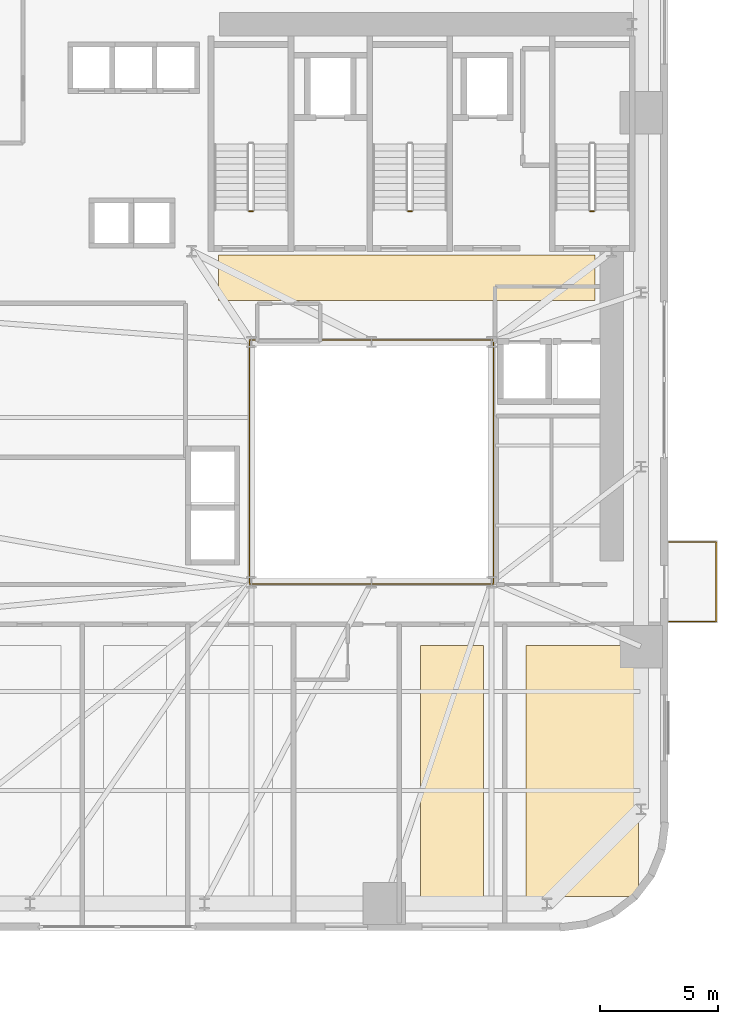
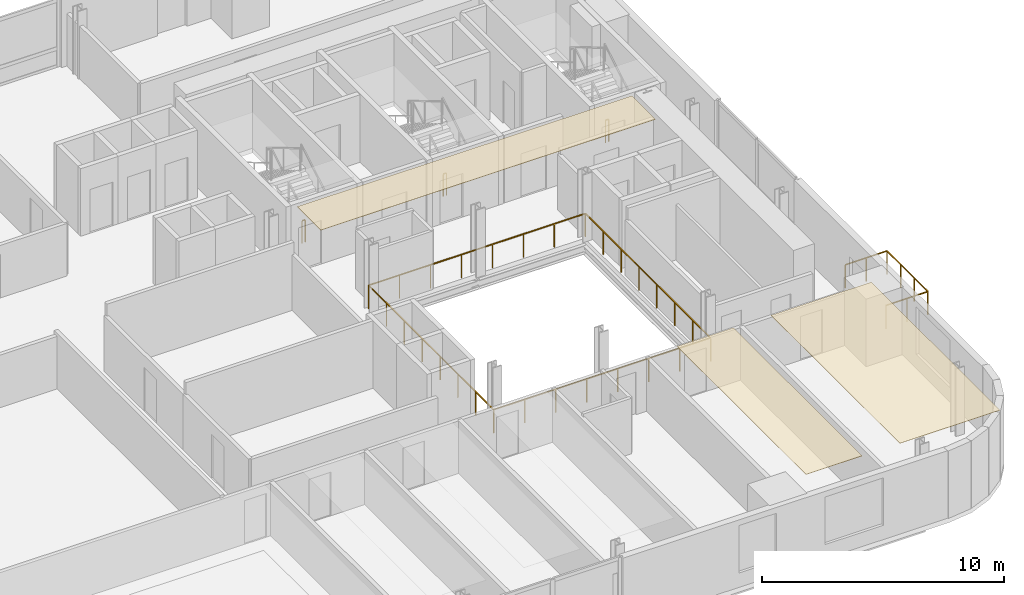
# One storey, part 11 of 13: 5 railings, 3 coverings.
"""IFC4 building model written with IfcOpenShell, lengths in metres."""

from ifc_helpers import new_model, si_unit, direction, frame, origin, origin_2d, place, context, subcontext, project, spatial, polyline, rectangle, outline, extrude, source, transform, mapped, material, layer, layer_set, type_object, element, save


model = new_model("IFC4")

# Units and contexts
model_context = context("Model", 3, precision=1e-05, world=origin(), true_north=direction((0.0, 1.0)))
body_context = subcontext(model_context, "Body", "Model", "MODEL_VIEW")
ifc_project = project(units=[si_unit("LENGTHUNIT", "METRE"), si_unit("AREAUNIT", "SQUARE_METRE"), si_unit("VOLUMEUNIT", "CUBIC_METRE"), si_unit("PLANEANGLEUNIT", "RADIAN"), si_unit("MASSUNIT", "GRAM", prefix="KILO")], contexts=[model_context])

# Site, building, storey
site_placement = place(None, origin())
site = spatial("IfcSite", under=ifc_project, at=site_placement, CompositionType="ELEMENT")
building_placement = place(site_placement, origin())
building = spatial("IfcBuilding", under=site, at=building_placement, Name="Vardaveli Station Tower", CompositionType="ELEMENT")
storey_placement = place(building_placement, frame((0.0, 0.0, 86.0)))
storey = spatial("IfcBuildingStorey", under=building, at=storey_placement, Name="L22", CompositionType="ELEMENT", Elevation=86.0)

# Coverings
ifc_material_1 = material(Name="Perforated acoustic mineral ceiling")
ifc_layer = layer(ifc_material_1, 0.02001953125, Name="Perforated acoustic mineral ceiling")
ifc_layer_set = layer_set([ifc_layer], Name="Perforated acoustic mineral ceiling")
covering_type = type_object("IfcCoveringType", Name="COV-CEIL-AC20", PredefinedType="CEILING", material=ifc_layer_set)
covering_1_placement = place(storey_placement, frame((0.0, 0.0, 3.39501953125)))
element("IfcCovering", 1, at=covering_1_placement, inside=storey, type_object=covering_type, Name="CEIL-L22-5", PredefinedType="CEILING", context=body_context, shape_type="SweptSolid", body=[
    extrude(outline(polyline([(38.37548828125, 3.25), (41.064208984375, 3.25), (41.064208984375, 13.909912109375), (38.37548828125, 13.909912109375), (38.37548828125, 3.25)])), origin(), (0.0, 0.0, 1.0), 0.02001953125),
])
covering_2_placement = place(storey_placement, frame((0.0, 0.0, 3.39501953125)))
element("IfcCovering", 2, at=covering_2_placement, inside=storey, type_object=covering_type, Name="CEIL-L22-6", PredefinedType="CEILING", context=body_context, shape_type="SweptSolid", body=[
    extrude(outline(polyline([(42.8642578125, 3.25), (47.64990234375, 3.25), (47.64990234375, 13.909912109375), (42.8642578125, 13.909912109375), (42.8642578125, 3.25)])), origin(), (0.0, 0.0, 1.0), 0.02001953125),
])
covering_3_placement = place(storey_placement, frame((0.0, 0.0, 3.39501953125)))
element("IfcCovering", 3, at=covering_3_placement, inside=storey, type_object=covering_type, Name="CEIL-L22-7", PredefinedType="CEILING", context=body_context, shape_type="SweptSolid", body=[
    extrude(outline(polyline([(29.800048828125, 28.550048828125), (45.800048828125, 28.550048828125), (45.800048828125, 30.5), (29.800048828125, 30.5), (29.800048828125, 28.550048828125)])), origin(), (0.0, 0.0, 1.0), 0.02001953125),
])

# Railings
ifc_material_2 = material(Name="Laminated glass and stainless steel balustrade", Category="steel")
railing_type_1 = type_object("IfcRailingType", Name="RL-BAL-1200", PredefinedType="BALUSTRADE", material=ifc_material_2)
shared_shape_1 = source(origin(), body_context, "Body", "SweptSolid", [
    extrude(rectangle(XDim=0.048095703125, YDim=0.048095703125, at=origin_2d()), frame((0.0, 0.0, 1.17578125), z_axis=(1.0, 0.0, 0.0), x_axis=(0.0, 1.0, 0.0)), (0.0, 0.0, 1.0), 2.0),
    extrude(rectangle(XDim=0.048095703125, YDim=0.048095703125, at=origin_2d()), frame((2.0, 0.0, 1.17578125), z_axis=(0.0, 1.0, 0.0), x_axis=(-1.0, 0.0, 0.0)), (0.0, 0.0, 1.0), 3.3798828125),
    extrude(rectangle(XDim=0.048095703125, YDim=0.048095703125, at=origin_2d()), frame((2.0, 3.3798828125, 1.17578125), z_axis=(-1.0, 0.0, 0.0), x_axis=(0.0, -1.0, 0.0)), (0.0, 0.0, 1.0), 2.0),
    extrude(rectangle(XDim=0.0419921875, YDim=0.0419921875, at=origin_2d()), origin(), (0.0, 0.0, 1.0), 1.15185546875),
    extrude(rectangle(XDim=0.0419921875, YDim=0.0419921875, at=origin_2d()), frame((1.0, 0.0, 0.0)), (0.0, 0.0, 1.0), 1.15185546875),
    extrude(rectangle(XDim=0.0419921875, YDim=0.0419921875, at=origin_2d()), frame((2.0, 0.0, 0.0)), (0.0, 0.0, 1.0), 1.15185546875),
    extrude(rectangle(XDim=0.0419921875, YDim=0.0419921875, at=origin_2d()), frame((2.0, 1.126708984375, 0.0)), (0.0, 0.0, 1.0), 1.15185546875),
    extrude(rectangle(XDim=0.0419921875, YDim=0.0419921875, at=origin_2d()), frame((2.0, 2.253173828125, 0.0)), (0.0, 0.0, 1.0), 1.15185546875),
    extrude(rectangle(XDim=0.0419921875, YDim=0.0419921875, at=origin_2d()), frame((2.0, 3.3798828125, 0.0)), (0.0, 0.0, 1.0), 1.15185546875),
    extrude(rectangle(XDim=0.0419921875, YDim=0.0419921875, at=origin_2d()), frame((1.0, 3.3798828125, 0.0)), (0.0, 0.0, 1.0), 1.15185546875),
    extrude(rectangle(XDim=0.0419921875, YDim=0.0419921875, at=origin_2d()), frame((0.0, 3.3798828125, 0.0)), (0.0, 0.0, 1.0), 1.15185546875),
])
railing_1_placement = place(storey_placement, frame((48.93994140625, 14.92041015625, 0.0)))
element("IfcRailing", 4, at=railing_1_placement, inside=storey, type_object=railing_type_1, Name="RL-LOG-L22-04", PredefinedType="BALUSTRADE", context=body_context, shape_type="MappedRepresentation", body=[
    mapped(shared_shape_1, transform((0.0, 0.0, 0.0), scale=1.0)),
])
ifc_material_3 = material(Name="Brushed AISI 316 stainless steel", Category="steel")
railing_type_2 = type_object("IfcRailingType", Name="RL-GUARD-1150", PredefinedType="GUARDRAIL", material=ifc_material_3)
shared_shape_2 = source(origin(), body_context, "Body", "SweptSolid", [
    extrude(rectangle(XDim=0.048095703125, YDim=0.048095703125, at=origin_2d()), frame((0.0, 0.0, 1.1259765625), z_axis=(-1.0, 0.0, 0.0), x_axis=(0.0, -1.0, 0.0)), (0.0, 0.0, 1.0), 0.14990234375),
    extrude(rectangle(XDim=0.0419921875, YDim=0.0419921875, at=origin_2d()), origin(), (0.0, 0.0, 1.0), 1.101806640625),
    extrude(rectangle(XDim=0.0419921875, YDim=0.0419921875, at=origin_2d()), frame((-0.14990234375, 0.0, 0.0)), (0.0, 0.0, 1.0), 1.101806640625),
])
for number, where, name in (
    (5, (31.25, 32.35009765625, 0.0), "L22 ST-1 stair guard 4"),
    (6, (38.0, 32.35009765625, 0.0), "L22 ST-2 stair guard 4"),
    (7, (45.75, 32.35009765625, 0.0), "L22 ST-3 stair guard 4"),
):
    element("IfcRailing", number, at=place(storey_placement, frame(where)), inside=storey, type_object=railing_type_2, Name=name, PredefinedType="GUARDRAIL", context=body_context, shape_type="MappedRepresentation", body=[
        mapped(shared_shape_2, transform((0.0, 0.0, 0.0), scale=1.0)),
    ])
shared_shape_3 = source(origin(), body_context, "Body", "SweptSolid", [
    extrude(rectangle(XDim=0.048095703125, YDim=0.048095703125, at=origin_2d()), frame((0.0, 0.0, 1.17578125), z_axis=(1.0, 0.0, 0.0), x_axis=(0.0, 1.0, 0.0)), (0.0, 0.0, 1.0), 10.35986328125),
    extrude(rectangle(XDim=0.048095703125, YDim=0.048095703125, at=origin_2d()), frame((10.35986328125, 0.0, 1.17578125), z_axis=(0.0, 1.0, 0.0), x_axis=(-1.0, 0.0, 0.0)), (0.0, 0.0, 1.0), 10.35986328125),
    extrude(rectangle(XDim=0.048095703125, YDim=0.048095703125, at=origin_2d()), frame((10.35986328125, 10.35986328125, 1.17578125), z_axis=(-1.0, 0.0, 0.0), x_axis=(0.0, -1.0, 0.0)), (0.0, 0.0, 1.0), 10.35986328125),
    extrude(rectangle(XDim=0.048095703125, YDim=0.048095703125, at=origin_2d()), frame((0.0, 10.35986328125, 1.17578125), z_axis=(0.0, -1.0, 0.0), x_axis=(1.0, 0.0, 0.0)), (0.0, 0.0, 1.0), 10.35986328125),
    extrude(rectangle(XDim=0.0419921875, YDim=0.0419921875, at=origin_2d()), origin(), (0.0, 0.0, 1.0), 1.15185546875),
    extrude(rectangle(XDim=0.0419921875, YDim=0.0419921875, at=origin_2d()), frame((1.47998046875, 0.0, 0.0)), (0.0, 0.0, 1.0), 1.15185546875),
    extrude(rectangle(XDim=0.0419921875, YDim=0.0419921875, at=origin_2d()), frame((2.9599609375, 0.0, 0.0)), (0.0, 0.0, 1.0), 1.15185546875),
    extrude(rectangle(XDim=0.0419921875, YDim=0.0419921875, at=origin_2d()), frame((4.43994140625, 0.0, 0.0)), (0.0, 0.0, 1.0), 1.15185546875),
    extrude(rectangle(XDim=0.0419921875, YDim=0.0419921875, at=origin_2d()), frame((5.919921875, 0.0, 0.0)), (0.0, 0.0, 1.0), 1.15185546875),
    extrude(rectangle(XDim=0.0419921875, YDim=0.0419921875, at=origin_2d()), frame((7.39990234375, 0.0, 0.0)), (0.0, 0.0, 1.0), 1.15185546875),
    extrude(rectangle(XDim=0.0419921875, YDim=0.0419921875, at=origin_2d()), frame((8.8798828125, 0.0, 0.0)), (0.0, 0.0, 1.0), 1.15185546875),
    extrude(rectangle(XDim=0.0419921875, YDim=0.0419921875, at=origin_2d()), frame((10.35986328125, 0.0, 0.0)), (0.0, 0.0, 1.0), 1.15185546875),
    extrude(rectangle(XDim=0.0419921875, YDim=0.0419921875, at=origin_2d()), frame((10.35986328125, 1.47998046875, 0.0)), (0.0, 0.0, 1.0), 1.15185546875),
    extrude(rectangle(XDim=0.0419921875, YDim=0.0419921875, at=origin_2d()), frame((10.35986328125, 2.9599609375, 0.0)), (0.0, 0.0, 1.0), 1.15185546875),
    extrude(rectangle(XDim=0.0419921875, YDim=0.0419921875, at=origin_2d()), frame((10.35986328125, 4.43994140625, 0.0)), (0.0, 0.0, 1.0), 1.15185546875),
    extrude(rectangle(XDim=0.0419921875, YDim=0.0419921875, at=origin_2d()), frame((10.35986328125, 5.919921875, 0.0)), (0.0, 0.0, 1.0), 1.15185546875),
    extrude(rectangle(XDim=0.0419921875, YDim=0.0419921875, at=origin_2d()), frame((10.35986328125, 7.39990234375, 0.0)), (0.0, 0.0, 1.0), 1.15185546875),
    extrude(rectangle(XDim=0.0419921875, YDim=0.0419921875, at=origin_2d()), frame((10.35986328125, 8.8798828125, 0.0)), (0.0, 0.0, 1.0), 1.15185546875),
    extrude(rectangle(XDim=0.0419921875, YDim=0.0419921875, at=origin_2d()), frame((10.35986328125, 10.35986328125, 0.0)), (0.0, 0.0, 1.0), 1.15185546875),
    extrude(rectangle(XDim=0.0419921875, YDim=0.0419921875, at=origin_2d()), frame((8.8798828125, 10.35986328125, 0.0)), (0.0, 0.0, 1.0), 1.15185546875),
    extrude(rectangle(XDim=0.0419921875, YDim=0.0419921875, at=origin_2d()), frame((7.39990234375, 10.35986328125, 0.0)), (0.0, 0.0, 1.0), 1.15185546875),
    extrude(rectangle(XDim=0.0419921875, YDim=0.0419921875, at=origin_2d()), frame((5.919921875, 10.35986328125, 0.0)), (0.0, 0.0, 1.0), 1.15185546875),
    extrude(rectangle(XDim=0.0419921875, YDim=0.0419921875, at=origin_2d()), frame((4.43994140625, 10.35986328125, 0.0)), (0.0, 0.0, 1.0), 1.15185546875),
    extrude(rectangle(XDim=0.0419921875, YDim=0.0419921875, at=origin_2d()), frame((2.9599609375, 10.35986328125, 0.0)), (0.0, 0.0, 1.0), 1.15185546875),
    extrude(rectangle(XDim=0.0419921875, YDim=0.0419921875, at=origin_2d()), frame((1.47998046875, 10.35986328125, 0.0)), (0.0, 0.0, 1.0), 1.15185546875),
    extrude(rectangle(XDim=0.0419921875, YDim=0.0419921875, at=origin_2d()), frame((0.0, 10.35986328125, 0.0)), (0.0, 0.0, 1.0), 1.15185546875),
    extrude(rectangle(XDim=0.0419921875, YDim=0.0419921875, at=origin_2d()), frame((0.0, 8.8798828125, 0.0)), (0.0, 0.0, 1.0), 1.15185546875),
    extrude(rectangle(XDim=0.0419921875, YDim=0.0419921875, at=origin_2d()), frame((0.0, 7.39990234375, 0.0)), (0.0, 0.0, 1.0), 1.15185546875),
    extrude(rectangle(XDim=0.0419921875, YDim=0.0419921875, at=origin_2d()), frame((0.0, 5.919921875, 0.0)), (0.0, 0.0, 1.0), 1.15185546875),
    extrude(rectangle(XDim=0.0419921875, YDim=0.0419921875, at=origin_2d()), frame((0.0, 4.43994140625, 0.0)), (0.0, 0.0, 1.0), 1.15185546875),
    extrude(rectangle(XDim=0.0419921875, YDim=0.0419921875, at=origin_2d()), frame((0.0, 2.9599609375, 0.0)), (0.0, 0.0, 1.0), 1.15185546875),
    extrude(rectangle(XDim=0.0419921875, YDim=0.0419921875, at=origin_2d()), frame((0.0, 1.47998046875, 0.0)), (0.0, 0.0, 1.0), 1.15185546875),
])
railing_2_placement = place(storey_placement, frame((31.1201171875, 16.52001953125, 0.0)))
element("IfcRailing", 8, at=railing_2_placement, inside=storey, type_object=railing_type_1, Name="RL-ATR-L22", PredefinedType="BALUSTRADE", context=body_context, shape_type="MappedRepresentation", body=[
    mapped(shared_shape_3, transform((0.0, 0.0, 0.0), scale=1.0)),
])

save(model, "model.ifc")
